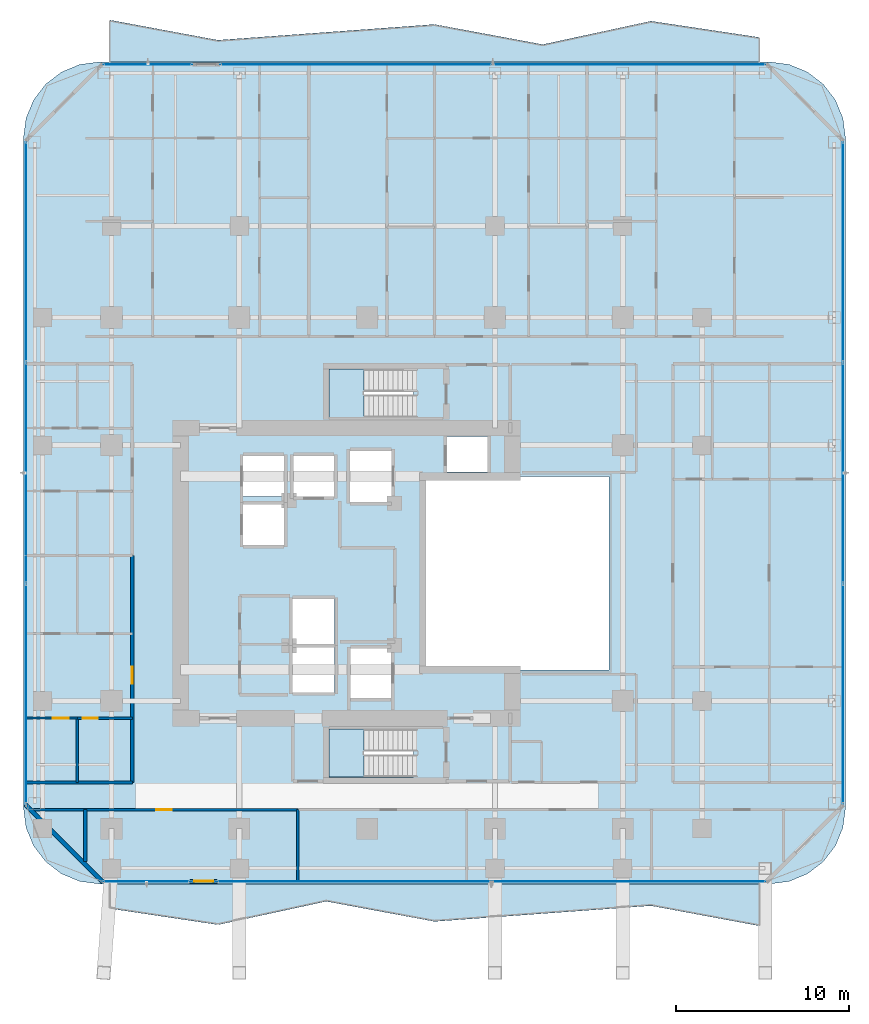
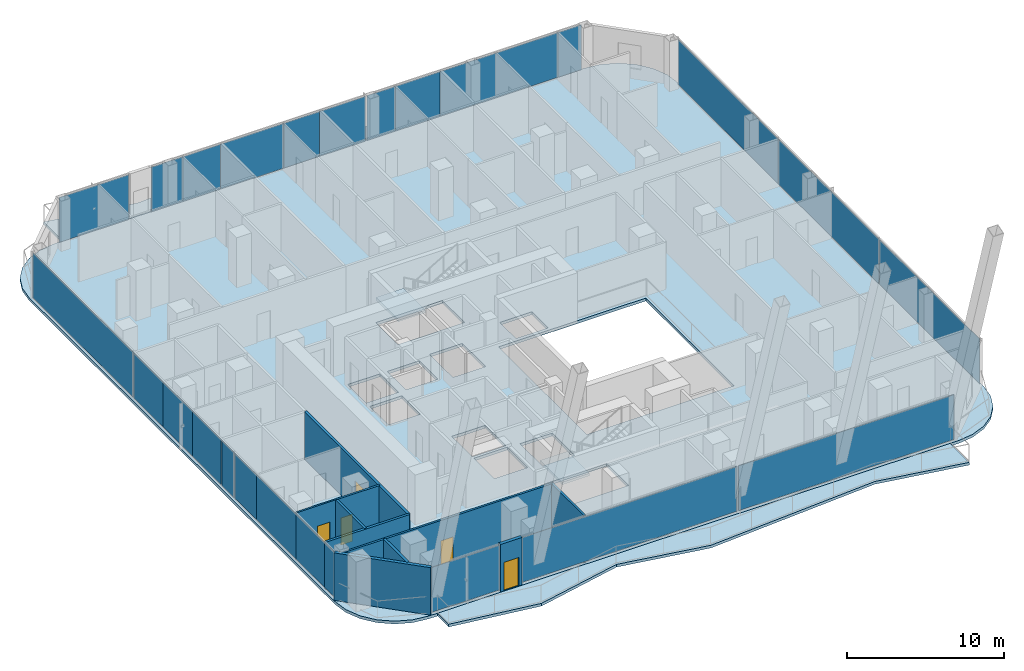
# One storey, part 18 of 30: 25 plates, 10 walls, 5 doors, 5 slabs, 5 openings, 8 elements without a shape of their own.
"""IFC4 building model written with IfcOpenShell, lengths in metres."""

from ifc_helpers import new_model, si_unit, direction, frame, frame_2d, origin, origin_2d, place, context, subcontext, project, spatial, polyline, rectangle, outline, extrude, material, layer, layer_set, type_object, element, fill, aggregate, save


model = new_model("IFC4")

# Units and contexts
model_context = context("Model", 3, precision=1e-05, world=origin(), true_north=direction((0.0, 1.0)))
body_context = subcontext(model_context, "Body", "Model", "MODEL_VIEW")
ifc_project = project(units=[si_unit("LENGTHUNIT", "METRE"), si_unit("AREAUNIT", "SQUARE_METRE"), si_unit("VOLUMEUNIT", "CUBIC_METRE"), si_unit("PLANEANGLEUNIT", "RADIAN"), si_unit("MASSUNIT", "GRAM", prefix="KILO")], contexts=[model_context])

# Site, building, storey
site_placement = place(None, origin())
site = spatial("IfcSite", under=ifc_project, at=site_placement, CompositionType="ELEMENT")
building_placement = place(site_placement, origin())
building = spatial("IfcBuilding", under=site, at=building_placement, Name="Khorvyn Point Tower", CompositionType="ELEMENT")
storey_placement = place(building_placement, frame((0.0, 0.0, 117.300048828125)))
storey = spatial("IfcBuildingStorey", under=building, at=storey_placement, Name="L29", CompositionType="ELEMENT", Elevation=117.300048828125)

# Slabs
ifc_material_1 = material(Name="Concrete C35/45", Category="concrete")
ifc_layer_1 = layer(ifc_material_1, 0.219970703125)
ifc_layer_set_1 = layer_set([ifc_layer_1], Name="Concrete C35/45 Structural Floor Slab 220")
slab_type_1 = type_object("IfcSlabType", Name="Concrete C35/45 Structural Floor Slab 220", PredefinedType="FLOOR", material=ifc_layer_set_1)
slab_1_placement = place(storey_placement, frame((0.0, 0.0, -0.219970703125)))
element("IfcSlab", 1, at=slab_1_placement, inside=storey, type_object=slab_type_1, Name="L29 Main Structural Floor Slab", PredefinedType="FLOOR", context=body_context, shape_type="SweptSolid", body=[
    extrude(outline(polyline([(-15.5, -18.0), (-16.638916015625, -17.85009765625), (-17.699951171875, -17.410400390625), (-18.611328125, -16.711181640625), (-19.310546875, -15.800048828125), (-19.75, -14.73876953125), (-19.89990234375, -13.60009765625), (-19.89990234375, 25.199951171875), (-19.75, 26.3388671875), (-19.310546875, 27.39990234375), (-18.611328125, 28.311279296875), (-17.699951171875, 29.010498046875), (-16.638916015625, 29.4501953125), (-15.5, 29.60009765625), (23.300048828125, 29.60009765625), (24.438720703125, 29.4501953125), (25.5, 29.010498046875), (26.411376953125, 28.311279296875), (27.110595703125, 27.39990234375), (27.550048828125, 26.3388671875), (27.699951171875, 25.199951171875), (27.699951171875, -13.60009765625), (27.550048828125, -14.73876953125), (27.110595703125, -15.800048828125), (26.411376953125, -16.711181640625), (25.5, -17.410400390625), (24.438720703125, -17.85009765625), (23.300048828125, -18.0), (-15.5, -18.0)]), holes=[polyline([(-1.875, -6.89990234375), (-1.875, -4.300048828125), (-4.324951171875, -4.300048828125), (-4.324951171875, -6.89990234375), (-1.875, -6.89990234375)]), polyline([(-1.875, -4.10009765625), (-1.875, -1.5), (-4.324951171875, -1.5), (-4.324951171875, -4.10009765625), (-1.875, -4.10009765625)]), polyline([(-4.824951171875, 1.625), (-4.824951171875, 3.97509765625), (-7.175048828125, 3.97509765625), (-7.175048828125, 1.625), (-4.824951171875, 1.625)]), polyline([(-7.175048828125, 4.425048828125), (-4.824951171875, 4.425048828125), (-4.824951171875, 6.77490234375), (-7.175048828125, 6.77490234375), (-7.175048828125, 4.425048828125)]), polyline([(-4.27490234375, 4.425048828125), (-1.925048828125, 4.425048828125), (-1.925048828125, 6.77490234375), (-4.27490234375, 6.77490234375), (-4.27490234375, 4.425048828125)]), polyline([(1.39990234375, 4.125), (1.39990234375, 7.074951171875), (-1.0, 7.074951171875), (-1.0, 4.125), (1.39990234375, 4.125)]), polyline([(-2.199951171875, -11.820068359375), (2.679931640625, -11.820068359375), (2.679931640625, -9.02001953125), (-2.199951171875, -9.02001953125), (-2.199951171875, -11.820068359375)]), polyline([(-0.97509765625, -7.22509765625), (1.375, -7.22509765625), (1.375, -4.375), (-0.97509765625, -4.375), (-0.97509765625, -7.22509765625)]), polyline([(14.0, -5.60009765625), (14.0, 5.60009765625), (3.199951171875, 5.60009765625), (3.199951171875, -5.60009765625), (14.0, -5.60009765625)]), polyline([(4.625, 5.85009765625), (6.97509765625, 5.85009765625), (6.97509765625, 7.905029296875), (4.625, 7.905029296875), (4.625, 5.85009765625)]), polyline([(-2.199951171875, 9.02001953125), (2.679931640625, 9.02001953125), (2.679931640625, 11.820068359375), (-2.199951171875, 11.820068359375), (-2.199951171875, 9.02001953125)])]), origin(), (0.0, 0.0, 1.0), 0.219970703125),
])
ifc_material_2 = material(Name="Concrete C40/50", Category="concrete")
ifc_layer_2 = layer(ifc_material_2, 0.2099609375)
ifc_layer_set_2 = layer_set([ifc_layer_2], Name="Concrete C40/50 Rippling Balcony Slab 210")
slab_type_2 = type_object("IfcSlabType", Name="Concrete C40/50 Rippling Balcony Slab 210", PredefinedType="USERDEFINED", material=ifc_layer_set_2)
slab_2_placement = place(storey_placement, frame((0.0, 0.0, -0.2099609375)))
element("IfcSlab", 2, at=slab_2_placement, inside=storey, type_object=slab_type_2, Name="L29 North Sinusoidal Rippling Balcony", ObjectType="BALCONY", PredefinedType="USERDEFINED", context=body_context, shape_type="SweptSolid", body=[
    extrude(outline(polyline([(22.699951171875, 29.60009765625), (22.699951171875, 31.022705078125), (16.433349609375, 31.96337890625), (10.166748046875, 30.6083984375), (3.89990234375, 31.773681640625), (-8.63330078125, 30.861083984375), (-14.89990234375, 32.026611328125), (-14.89990234375, 29.60009765625), (22.699951171875, 29.60009765625)])), origin(), (0.0, 0.0, 1.0), 0.2099609375),
])
slab_3_placement = place(storey_placement, frame((0.0, 0.0, -0.2099609375)))
element("IfcSlab", 3, at=slab_3_placement, inside=storey, type_object=slab_type_2, Name="L29 South Sinusoidal Rippling Balcony", ObjectType="BALCONY", PredefinedType="USERDEFINED", context=body_context, shape_type="SweptSolid", body=[
    extrude(outline(polyline([(-14.89990234375, -18.0), (-14.89990234375, -19.422607421875), (-8.63330078125, -20.363525390625), (-2.36669921875, -19.00830078125), (3.89990234375, -20.173828125), (16.433349609375, -19.26123046875), (22.699951171875, -20.4267578125), (22.699951171875, -18.0), (-14.89990234375, -18.0)])), origin(), (0.0, 0.0, 1.0), 0.2099609375),
])

# Stair, slab
stair_type = type_object("IfcStairType", Name="Tower Concrete C40/50 Dogleg Exit Stair", PredefinedType="HALF_TURN_STAIR", material=ifc_material_2)
stair_1_placement = place(storey_placement, origin())
stair_1 = element("IfcStair", 4, at=stair_1_placement, inside=storey, type_object=stair_type, Name="L29 Tower Smokeproof Exit Stair South", PredefinedType="HALF_TURN_STAIR")
ifc_layer_3 = layer(ifc_material_2, 0.199951171875)
ifc_layer_set_3 = layer_set([ifc_layer_3], Name="Concrete C40/50 Stair Landing Slab 200")
slab_type_3 = type_object("IfcSlabType", Name="Concrete C40/50 Stair Landing Slab 200", PredefinedType="LANDING", material=ifc_layer_set_3)
slab_4_placement = place(storey_placement, frame((0.0, 0.0, 1.75)))
slab_4 = element("IfcSlab", 5, at=slab_4_placement, type_object=slab_type_3, Name="ST-01 landing 1", PredefinedType="LANDING", context=body_context, shape_type="SweptSolid", body=[
    extrude(outline(polyline([(-0.179931640625, -9.02001953125), (-2.199951171875, -9.02001953125), (-2.199951171875, -11.820068359375), (-0.179931640625, -11.820068359375), (-0.179931640625, -9.02001953125)])), origin(), (0.0, 0.0, 1.0), 0.199951171875),
])
aggregate(stair_1, [slab_4])

stair_2_placement = place(storey_placement, origin())
stair_2 = element("IfcStair", 6, at=stair_2_placement, inside=storey, type_object=stair_type, Name="L29 Tower Smokeproof Exit Stair North", PredefinedType="HALF_TURN_STAIR")
slab_5_placement = place(storey_placement, frame((0.0, 0.0, 1.75)))
slab_5 = element("IfcSlab", 7, at=slab_5_placement, type_object=slab_type_3, Name="ST-02 landing 1", PredefinedType="LANDING", context=body_context, shape_type="SweptSolid", body=[
    extrude(outline(polyline([(-0.179931640625, 11.820068359375), (-2.199951171875, 11.820068359375), (-2.199951171875, 9.02001953125), (-0.179931640625, 9.02001953125), (-0.179931640625, 11.820068359375)])), origin(), (0.0, 0.0, 1.0), 0.199951171875),
])
aggregate(stair_2, [slab_5])

# Curtain wall, plates
ifc_material_3 = material(Name="Anodised aluminium 6063-T6 and laminated Low-E glass", Category="aluminium")
ifc_layer_4 = layer(ifc_material_3, 0.18994140625)
ifc_layer_set_4 = layer_set([ifc_layer_4], Name="Stick-Built Acoustic Curtain Wall CW-SYS-03")
curtain_wall_type = type_object("IfcCurtainWallType", Name="Stick-Built Acoustic Curtain Wall CW-SYS-03", PredefinedType="NOTDEFINED", material=ifc_layer_set_4)
curtain_wall_1_placement = place(storey_placement, origin())
curtain_wall_1 = element("IfcCurtainWall", 8, at=curtain_wall_1_placement, inside=storey, type_object=curtain_wall_type, Name="Curtain Wall", PredefinedType="NOTDEFINED")
ifc_material_4 = material(Name="Laminated Low-E insulated glass", Category="glass")
ifc_layer_5 = layer(ifc_material_4, 0.028076171875)
ifc_layer_set_5 = layer_set([ifc_layer_5], Name="Tempered Low-E Vision Glazing Panel CW-GL28")
plate_type = type_object("IfcPlateType", Name="Tempered Low-E Vision Glazing Panel CW-GL28", PredefinedType="CURTAIN_PANEL", material=ifc_layer_set_5)
plate_1_placement = place(storey_placement, frame((15.149658203125, -17.85009765625, 0.099853515625), z_axis=(0.0, 0.0, 1.0), x_axis=(-1.0, 0.0, 0.0)))
plate_1 = element("IfcPlate", 9, at=plate_1_placement, type_object=plate_type, Name="Panel", PredefinedType="CURTAIN_PANEL", context=body_context, shape_type="SweptSolid", body=[
    extrude(rectangle(XDim=15.800537109375, YDim=0.028076171875, at=origin_2d()), origin(), (0.0, 0.0, 1.0), 3.47998046875),
])
plate_2_placement = place(storey_placement, frame((-0.750732421875, -17.85009765625, 0.099853515625), z_axis=(0.0, 0.0, 1.0), x_axis=(-1.0, 0.0, 0.0)))
plate_2 = element("IfcPlate", 10, at=plate_2_placement, type_object=plate_type, Name="Panel", PredefinedType="CURTAIN_PANEL", context=body_context, shape_type="SweptSolid", body=[
    extrude(rectangle(XDim=15.800537109375, YDim=0.028076171875, at=origin_2d()), origin(), (0.0, 0.0, 1.0), 3.47998046875),
])
aggregate(curtain_wall_1, [plate_1, plate_2])

# Curtain wall, plate
curtain_wall_2_placement = place(storey_placement, origin())
curtain_wall_2 = element("IfcCurtainWall", 11, at=curtain_wall_2_placement, inside=storey, type_object=curtain_wall_type, Name="Curtain Wall", PredefinedType="NOTDEFINED")
plate_3_placement = place(storey_placement, frame((-12.7705078125, -17.85009765625, 0.099853515625), z_axis=(0.0, 0.0, 1.0), x_axis=(-1.0, 0.0, 0.0)))
plate_3 = element("IfcPlate", 12, at=plate_3_placement, type_object=plate_type, Name="Panel", PredefinedType="CURTAIN_PANEL", context=body_context, shape_type="SweptSolid", body=[
    extrude(rectangle(XDim=4.958984375, YDim=0.028076171875, at=origin_2d()), origin(), (0.0, 0.0, 1.0), 3.47998046875),
])
aggregate(curtain_wall_2, [plate_3])

curtain_wall_3_placement = place(storey_placement, origin())
curtain_wall_3 = element("IfcCurtainWall", 13, at=curtain_wall_3_placement, inside=storey, type_object=curtain_wall_type, Name="Curtain Wall", PredefinedType="NOTDEFINED")
plate_4_placement = place(storey_placement, frame((-12.694580078125, 29.449951171875, 0.099853515625), z_axis=(0.0, 0.0, 1.0), x_axis=(1.0, 0.0, 0.0)))
plate_4 = element("IfcPlate", 14, at=plate_4_placement, type_object=plate_type, Name="Panel", PredefinedType="CURTAIN_PANEL", context=body_context, shape_type="SweptSolid", body=[
    extrude(rectangle(XDim=5.111083984375, YDim=0.028076171875, at=origin_2d()), origin(), (0.0, 0.0, 1.0), 3.47998046875),
])
aggregate(curtain_wall_3, [plate_4])

# Curtain wall, plates
curtain_wall_4_placement = place(storey_placement, origin())
curtain_wall_4 = element("IfcCurtainWall", 15, at=curtain_wall_4_placement, inside=storey, type_object=curtain_wall_type, Name="Curtain Wall", PredefinedType="NOTDEFINED")
plate_5_placement = place(storey_placement, frame((-7.333984375, 29.449951171875, 0.099853515625), z_axis=(0.0, 0.0, 1.0), x_axis=(1.0, 0.0, 0.0)))
plate_5 = element("IfcPlate", 16, at=plate_5_placement, type_object=plate_type, Name="Panel", PredefinedType="CURTAIN_PANEL", context=body_context, shape_type="SweptSolid", body=[
    extrude(rectangle(XDim=2.322021484375, YDim=0.028076171875, at=origin_2d()), origin(), (0.0, 0.0, 1.0), 3.47998046875),
])
plate_6_placement = place(storey_placement, frame((-4.803955078125, 29.449951171875, 0.099853515625), z_axis=(0.0, 0.0, 1.0), x_axis=(1.0, 0.0, 0.0)))
plate_6 = element("IfcPlate", 17, at=plate_6_placement, type_object=plate_type, Name="Panel", PredefinedType="CURTAIN_PANEL", context=body_context, shape_type="SweptSolid", body=[
    extrude(rectangle(XDim=2.721923828125, YDim=0.028076171875, at=origin_2d()), origin(), (0.0, 0.0, 1.0), 3.47998046875),
])
plate_7_placement = place(storey_placement, frame((-1.114501953125, 29.449951171875, 0.099853515625), z_axis=(0.0, 0.0, 1.0), x_axis=(1.0, 0.0, 0.0)))
plate_7 = element("IfcPlate", 18, at=plate_7_placement, type_object=plate_type, Name="Panel", PredefinedType="CURTAIN_PANEL", context=body_context, shape_type="SweptSolid", body=[
    extrude(rectangle(XDim=4.64111328125, YDim=0.028076171875, at=origin_2d()), origin(), (0.0, 0.0, 1.0), 3.47998046875),
])
plate_8_placement = place(storey_placement, frame((2.52490234375, 29.449951171875, 0.099853515625), z_axis=(0.0, 0.0, 1.0), x_axis=(1.0, 0.0, 0.0)))
plate_8 = element("IfcPlate", 19, at=plate_8_placement, type_object=plate_type, Name="Panel", PredefinedType="CURTAIN_PANEL", context=body_context, shape_type="SweptSolid", body=[
    extrude(rectangle(XDim=2.6220703125, YDim=0.028076171875, at=origin_2d()), origin(), (0.0, 0.0, 1.0), 3.47998046875),
])
plate_9_placement = place(storey_placement, frame((5.53271484375, 29.449951171875, 0.099853515625), z_axis=(0.0, 0.0, 1.0), x_axis=(1.0, 0.0, 0.0)))
plate_9 = element("IfcPlate", 20, at=plate_9_placement, type_object=plate_type, Name="Panel", PredefinedType="CURTAIN_PANEL", context=body_context, shape_type="SweptSolid", body=[
    extrude(rectangle(XDim=3.37744140625, YDim=0.028076171875, at=origin_2d()), origin(), (0.0, 0.0, 1.0), 3.47998046875),
])
plate_10_placement = place(storey_placement, frame((8.3681640625, 29.449951171875, 0.099853515625), z_axis=(0.0, 0.0, 1.0), x_axis=(1.0, 0.0, 0.0)))
plate_10 = element("IfcPlate", 21, at=plate_10_placement, type_object=plate_type, Name="Panel", PredefinedType="CURTAIN_PANEL", context=body_context, shape_type="SweptSolid", body=[
    extrude(rectangle(XDim=2.077392578125, YDim=0.028076171875, at=origin_2d()), origin(), (0.0, 0.0, 1.0), 3.47998046875),
])
plate_11_placement = place(storey_placement, frame((11.04345703125, 29.449951171875, 0.099853515625), z_axis=(0.0, 0.0, 1.0), x_axis=(1.0, 0.0, 0.0)))
plate_11 = element("IfcPlate", 22, at=plate_11_placement, type_object=plate_type, Name="Panel", PredefinedType="CURTAIN_PANEL", context=body_context, shape_type="SweptSolid", body=[
    extrude(rectangle(XDim=3.257080078125, YDim=0.028076171875, at=origin_2d()), origin(), (0.0, 0.0, 1.0), 3.47998046875),
])
plate_12_placement = place(storey_placement, frame((17.0029296875, 29.449951171875, 0.099853515625), z_axis=(0.0, 0.0, 1.0), x_axis=(1.0, 0.0, 0.0)))
plate_12 = element("IfcPlate", 23, at=plate_12_placement, type_object=plate_type, Name="Panel", PredefinedType="CURTAIN_PANEL", context=body_context, shape_type="SweptSolid", body=[
    extrude(rectangle(XDim=8.64599609375, YDim=0.028076171875, at=origin_2d()), origin(), (0.0, 0.0, 1.0), 3.47998046875),
])
plate_13_placement = place(storey_placement, frame((22.18994140625, 29.449951171875, 0.099853515625), z_axis=(0.0, 0.0, 1.0), x_axis=(1.0, 0.0, 0.0)))
plate_13 = element("IfcPlate", 24, at=plate_13_placement, type_object=plate_type, Name="Panel", PredefinedType="CURTAIN_PANEL", context=body_context, shape_type="SweptSolid", body=[
    extrude(rectangle(XDim=1.7119140625, YDim=0.028076171875, at=origin_2d()), origin(), (0.0, 0.0, 1.0), 3.47998046875),
])
aggregate(curtain_wall_4, [plate_5, plate_6, plate_7, plate_8, plate_9, plate_10, plate_11, plate_12, plate_13])

curtain_wall_5_placement = place(storey_placement, origin())
curtain_wall_5 = element("IfcCurtainWall", 25, at=curtain_wall_5_placement, inside=storey, type_object=curtain_wall_type, Name="Curtain Wall", PredefinedType="NOTDEFINED")
plate_14_placement = place(storey_placement, frame((-19.75, -12.705078125, 0.099853515625), z_axis=(0.0, 0.0, 1.0), x_axis=(0.0, 1.0, 0.0)))
plate_14 = element("IfcPlate", 26, at=plate_14_placement, type_object=plate_type, Name="Panel", PredefinedType="CURTAIN_PANEL", context=body_context, shape_type="SweptSolid", body=[
    extrude(rectangle(XDim=1.281982421875, YDim=0.028076171875, at=origin_2d()), origin(), (0.0, 0.0, 1.0), 3.47998046875),
])
plate_15_placement = place(storey_placement, frame((-19.75, -10.257080078125, 0.099853515625), z_axis=(0.0, 0.0, 1.0), x_axis=(0.0, 1.0, 0.0)))
plate_15 = element("IfcPlate", 27, at=plate_15_placement, type_object=plate_type, Name="Panel", PredefinedType="CURTAIN_PANEL", context=body_context, shape_type="SweptSolid", body=[
    extrude(rectangle(XDim=3.597900390625, YDim=0.028076171875, at=origin_2d()), origin(), (0.0, 0.0, 1.0), 3.47998046875),
])
plate_16_placement = place(storey_placement, frame((-19.75, -5.950927734375, 0.099853515625), z_axis=(0.0, 0.0, 1.0), x_axis=(0.0, 1.0, 0.0)))
plate_16 = element("IfcPlate", 28, at=plate_16_placement, type_object=plate_type, Name="Panel", PredefinedType="CURTAIN_PANEL", context=body_context, shape_type="SweptSolid", body=[
    extrude(rectangle(XDim=4.998046875, YDim=0.028076171875, at=origin_2d()), origin(), (0.0, 0.0, 1.0), 3.47998046875),
])
plate_17_placement = place(storey_placement, frame((-19.75, -2.057373046875, 0.099853515625), z_axis=(0.0, 0.0, 1.0), x_axis=(0.0, 1.0, 0.0)))
plate_17 = element("IfcPlate", 29, at=plate_17_placement, type_object=plate_type, Name="Panel", PredefinedType="CURTAIN_PANEL", context=body_context, shape_type="SweptSolid", body=[
    extrude(rectangle(XDim=2.773193359375, YDim=0.028076171875, at=origin_2d()), origin(), (0.0, 0.0, 1.0), 3.47998046875),
])
plate_18_placement = place(storey_placement, frame((-19.75, 0.19580078125, 0.099853515625), z_axis=(0.0, 0.0, 1.0), x_axis=(0.0, 1.0, 0.0)))
plate_18 = element("IfcPlate", 30, at=plate_18_placement, type_object=plate_type, Name="Panel", PredefinedType="CURTAIN_PANEL", context=body_context, shape_type="SweptSolid", body=[
    extrude(rectangle(XDim=1.5166015625, YDim=0.028076171875, at=origin_2d()), origin(), (0.0, 0.0, 1.0), 3.47998046875),
])
plate_19_placement = place(storey_placement, frame((-19.75, 2.881103515625, 0.099853515625), z_axis=(0.0, 0.0, 1.0), x_axis=(0.0, 1.0, 0.0)))
plate_19 = element("IfcPlate", 31, at=plate_19_placement, type_object=plate_type, Name="Panel", PredefinedType="CURTAIN_PANEL", context=body_context, shape_type="SweptSolid", body=[
    extrude(rectangle(XDim=3.597900390625, YDim=0.028076171875, at=origin_2d()), origin(), (0.0, 0.0, 1.0), 3.47998046875),
])
plate_20_placement = place(storey_placement, frame((-19.75, 6.569091796875, 0.099853515625), z_axis=(0.0, 0.0, 1.0), x_axis=(0.0, 1.0, 0.0)))
plate_20 = element("IfcPlate", 32, at=plate_20_placement, type_object=plate_type, Name="Panel", PredefinedType="CURTAIN_PANEL", context=body_context, shape_type="SweptSolid", body=[
    extrude(rectangle(XDim=3.761962890625, YDim=0.028076171875, at=origin_2d()), origin(), (0.0, 0.0, 1.0), 3.47998046875),
])
plate_21_placement = place(storey_placement, frame((-19.75, 10.310302734375, 0.099853515625), z_axis=(0.0, 0.0, 1.0), x_axis=(0.0, 1.0, 0.0)))
plate_21 = element("IfcPlate", 33, at=plate_21_placement, type_object=plate_type, Name="Panel", PredefinedType="CURTAIN_PANEL", context=body_context, shape_type="SweptSolid", body=[
    extrude(rectangle(XDim=3.70458984375, YDim=0.028076171875, at=origin_2d()), origin(), (0.0, 0.0, 1.0), 3.47998046875),
])
plate_22_placement = place(storey_placement, frame((-19.75, 18.6083984375, 0.099853515625), z_axis=(0.0, 0.0, 1.0), x_axis=(0.0, 1.0, 0.0)))
plate_22 = element("IfcPlate", 34, at=plate_22_placement, type_object=plate_type, Name="Panel", PredefinedType="CURTAIN_PANEL", context=body_context, shape_type="SweptSolid", body=[
    extrude(rectangle(XDim=12.683349609375, YDim=0.028076171875, at=origin_2d()), origin(), (0.0, 0.0, 1.0), 3.47998046875),
])
aggregate(curtain_wall_5, [plate_14, plate_15, plate_16, plate_17, plate_18, plate_19, plate_20, plate_21, plate_22])

curtain_wall_6_placement = place(storey_placement, origin())
curtain_wall_6 = element("IfcCurtainWall", 35, at=curtain_wall_6_placement, inside=storey, type_object=curtain_wall_type, Name="Curtain Wall", PredefinedType="NOTDEFINED")
plate_23_placement = place(storey_placement, frame((27.550048828125, 18.6083984375, 0.099853515625), z_axis=(0.0, 0.0, 1.0), x_axis=(0.0, -1.0, 0.0)))
plate_23 = element("IfcPlate", 36, at=plate_23_placement, type_object=plate_type, Name="Panel", PredefinedType="CURTAIN_PANEL", context=body_context, shape_type="SweptSolid", body=[
    extrude(rectangle(XDim=12.683349609375, YDim=0.028076171875, at=origin_2d()), origin(), (0.0, 0.0, 1.0), 3.47998046875),
])
plate_24_placement = place(storey_placement, frame((27.550048828125, 5.800048828125, 0.099853515625), z_axis=(0.0, 0.0, 1.0), x_axis=(0.0, -1.0, 0.0)))
plate_24 = element("IfcPlate", 37, at=plate_24_placement, type_object=plate_type, Name="Panel", PredefinedType="CURTAIN_PANEL", context=body_context, shape_type="SweptSolid", body=[
    extrude(rectangle(XDim=12.7333984375, YDim=0.028076171875, at=origin_2d()), origin(), (0.0, 0.0, 1.0), 3.47998046875),
])
plate_25_placement = place(storey_placement, frame((27.550048828125, -7.00830078125, 0.099853515625), z_axis=(0.0, 0.0, 1.0), x_axis=(0.0, -1.0, 0.0)))
plate_25 = element("IfcPlate", 38, at=plate_25_placement, type_object=plate_type, Name="Panel", PredefinedType="CURTAIN_PANEL", context=body_context, shape_type="SweptSolid", body=[
    extrude(rectangle(XDim=12.683349609375, YDim=0.028076171875, at=origin_2d()), origin(), (0.0, 0.0, 1.0), 3.47998046875),
])
aggregate(curtain_wall_6, [plate_23, plate_24, plate_25])

# Wall, opening, door
ifc_material_5 = material(Name="Double acoustic gypsum on twin steel stud", Category="steel")
ifc_layer_6 = layer(ifc_material_5, 0.179931640625)
ifc_layer_set_6 = layer_set([ifc_layer_6], Name="Acoustic Double-Stud Apartment Demising Wall 180")
wall_type_1 = type_object("IfcWallType", Name="Acoustic Double-Stud Apartment Demising Wall 180", PredefinedType="PARTITIONING", material=ifc_layer_set_6)
wall_1_placement = place(storey_placement, frame((-13.60009765625, -12.1201171875, 0.0), z_axis=(0.0, 0.0, 1.0), x_axis=(0.0, 1.0, 0.0)))
wall_1 = element("IfcWall", 39, at=wall_1_placement, inside=storey, type_object=wall_type_1, Name="Wall", PredefinedType="PARTITIONING", context=body_context, shape_type="SweptSolid", body=[
    extrude(rectangle(XDim=13.13818359375, YDim=0.179931640625, at=frame_2d((6.569091796875, 0.0))), origin(), (0.0, 0.0, 1.0), 3.679931640625),
])
opening_1_placement = place(wall_1_placement, frame((5.7109375, 0.0, 0.0)))
opening_1 = element("IfcOpeningElement", 40, at=opening_1_placement, cuts=wall_1, Name="Opening ID-AP60", PredefinedType="OPENING", context=body_context, shape_type="SweptSolid", body=[
    extrude(rectangle(XDim=1.0, YDim=2.199951171875, at=frame_2d((0.5, 1.10009765625))), frame((0.0, 0.099853515625, 0.0), z_axis=(0.0, -1.0, 0.0), x_axis=(1.0, 0.0, 0.0)), (0.0, 0.0, 1.0), 0.199951171875),
])
ifc_material_6 = material(Name="Engineered hardwood fire-rated leaf", Category="wood")
door_type_1 = type_object("IfcDoorType", Name="Acoustic Solid-Core Timber Apartment Entrance Door 1000x2200", OperationType="NOTDEFINED", PredefinedType="DOOR", material=ifc_material_6)
door_1_placement = place(opening_1_placement, origin())
door_1 = element("IfcDoor", 41, at=door_1_placement, inside=storey, type_object=door_type_1, Name="Door", OperationType="SINGLE_SWING_LEFT", OverallHeight=2.199951171875, OverallWidth=1.0, PredefinedType="DOOR", context=body_context, shape_type="SweptSolid", body=[
    extrude(rectangle(XDim=1.0, YDim=2.199951171875, at=frame_2d((0.5, 1.10009765625))), frame((0.0, 0.02490234375, 0.0), z_axis=(0.0, -1.0, 0.0), x_axis=(1.0, 0.0, 0.0)), (0.0, 0.0, 1.0), 0.050048828125),
])
fill(opening_1, door_1)

# Walls
wall_2_placement = place(storey_placement, frame((-16.320068359375, -16.7099609375, 0.0), z_axis=(0.0, 0.0, 1.0), x_axis=(0.0, 1.0, 0.0)))
element("IfcWall", 42, at=wall_2_placement, inside=storey, type_object=wall_type_1, Name="Wall", PredefinedType="PARTITIONING", context=body_context, shape_type="SweptSolid", body=[
    extrude(rectangle(XDim=3.010009765625, YDim=0.179931640625, at=frame_2d((1.5048828125, 0.0))), origin(), (0.0, 0.0, 1.0), 3.679931640625),
])
wall_3_placement = place(storey_placement, frame((-19.72998046875, -12.1201171875, 0.0), z_axis=(0.0, 0.0, 1.0), x_axis=(1.0, 0.0, 0.0)))
element("IfcWall", 43, at=wall_3_placement, inside=storey, type_object=wall_type_1, Name="Wall", PredefinedType="PARTITIONING", context=body_context, shape_type="SweptSolid", body=[
    extrude(rectangle(XDim=6.1298828125, YDim=0.179931640625, at=frame_2d((3.06494140625, 0.0))), origin(), (0.0, 0.0, 1.0), 3.679931640625),
])

# Wall, opening, door
ifc_material_7 = material(Name="Pale anodised aluminium rainscreen on steel stud", Category="steel")
ifc_layer_7 = layer(ifc_material_7, 0.239990234375)
ifc_layer_set_7 = layer_set([ifc_layer_7], Name="Anodised Aluminium Insulated Corner Spandrel Wall 240")
wall_type_2 = type_object("IfcWallType", Name="Anodised Aluminium Insulated Corner Spandrel Wall 240", PredefinedType="SOLIDWALL", material=ifc_layer_set_7)
wall_4_placement = place(storey_placement, frame((-8.680908203125, -17.85009765625, 0.0), z_axis=(0.0, 0.0, 1.0), x_axis=(-1.0, 0.0, 0.0)))
wall_4 = element("IfcWall", 44, at=wall_4_placement, inside=storey, type_object=wall_type_2, Name="L29 South Outdoor Threshold Wall", PredefinedType="SOLIDWALL", context=body_context, shape_type="SweptSolid", body=[
    extrude(rectangle(XDim=1.580078125, YDim=0.239990234375, at=frame_2d((0.7900390625, 0.0))), origin(), (0.0, 0.0, 1.0), 3.679931640625),
])
opening_2_placement = place(wall_4_placement, frame((0.239990234375, 0.0, 0.0)))
opening_2 = element("IfcOpeningElement", 45, at=opening_2_placement, cuts=wall_4, Name="Opening BD-1122", PredefinedType="OPENING", context=body_context, shape_type="SweptSolid", body=[
    extrude(rectangle(XDim=1.10009765625, YDim=2.199951171875, at=frame_2d((0.550048828125, 1.10009765625))), frame((0.0, 0.1298828125, 0.0), z_axis=(0.0, -1.0, 0.0), x_axis=(1.0, 0.0, 0.0)), (0.0, 0.0, 1.0), 0.260009765625),
])
door_type_2 = type_object("IfcDoorType", Name="Glazed Balcony and Terrace Threshold Door 1100x2200", OperationType="NOTDEFINED", PredefinedType="DOOR", material=ifc_material_3)
door_2_placement = place(opening_2_placement, origin())
door_2 = element("IfcDoor", 46, at=door_2_placement, inside=storey, type_object=door_type_2, Name="L29 South Glazed Balcony Outdoor Door", OperationType="SINGLE_SWING_RIGHT", OverallHeight=2.199951171875, OverallWidth=1.10009765625, PredefinedType="DOOR", context=body_context, shape_type="SweptSolid", body=[
    extrude(rectangle(XDim=1.10009765625, YDim=2.199951171875, at=frame_2d((0.550048828125, 1.10009765625))), frame((0.0, 0.02490234375, 0.0), z_axis=(0.0, -1.0, 0.0), x_axis=(1.0, 0.0, 0.0)), (0.0, 0.0, 1.0), 0.050048828125),
])
fill(opening_2, door_2)

# Wall
wall_5_placement = place(storey_placement, frame((-15.3076171875, -17.892333984375, 0.0), z_axis=(0.0, 0.0, 1.0), x_axis=(-0.707126027686, 0.707087534163, 0.0)))
element("IfcWall", 47, at=wall_5_placement, inside=storey, type_object=wall_type_2, Name="L29 Rounded Corner Wall SW", PredefinedType="SOLIDWALL", context=body_context, shape_type="SweptSolid", body=[
    extrude(rectangle(XDim=6.34228515625, YDim=0.239990234375, at=frame_2d((3.171142578125, 0.0))), origin(), (0.0, 0.0, 1.0), 3.679931640625),
])

# Wall, opening, door
ifc_material_8 = material(Name="Gypsum plasterboard on steel stud", Category="steel")
ifc_layer_8 = layer(ifc_material_8, 0.1201171875)
ifc_layer_set_8 = layer_set([ifc_layer_8], Name="Gypsum Acoustic Stud Room Partition Wall 120")
wall_type_3 = type_object("IfcWallType", Name="Gypsum Acoustic Stud Room Partition Wall 120", PredefinedType="PARTITIONING", material=ifc_layer_set_8)
wall_6_placement = place(storey_placement, frame((-19.72998046875, -8.39404296875, 0.0), z_axis=(0.0, 0.0, 1.0), x_axis=(1.0, 0.0, 0.0)))
wall_6 = element("IfcWall", 48, at=wall_6_placement, inside=storey, type_object=wall_type_3, Name="Wall", PredefinedType="PARTITIONING", context=body_context, shape_type="SweptSolid", body=[
    extrude(rectangle(XDim=2.946044921875, YDim=0.1201171875, at=frame_2d((1.47314453125, 0.0))), origin(), (0.0, 0.0, 1.0), 3.679931640625),
])
opening_3_placement = place(wall_6_placement, frame((1.540771484375, 0.0, 0.0)))
opening_3 = element("IfcOpeningElement", 49, at=opening_3_placement, cuts=wall_6, Name="Opening ID-RM90", PredefinedType="OPENING", context=body_context, shape_type="SweptSolid", body=[
    extrude(rectangle(XDim=0.89990234375, YDim=2.10009765625, at=frame_2d((0.449951171875, 1.050048828125))), frame((0.0, 0.070068359375, 0.0), z_axis=(0.0, -1.0, 0.0), x_axis=(1.0, 0.0, 0.0)), (0.0, 0.0, 1.0), 0.14013671875),
])
ifc_material_9 = material(Name="Engineered oak veneer timber", Category="wood")
door_type_3 = type_object("IfcDoorType", Name="Flush Engineered Timber Room Door 900x2100", OperationType="NOTDEFINED", PredefinedType="DOOR", material=ifc_material_9)
door_3_placement = place(opening_3_placement, origin())
door_3 = element("IfcDoor", 50, at=door_3_placement, inside=storey, type_object=door_type_3, Name="Door", OperationType="SINGLE_SWING_RIGHT", OverallHeight=2.10009765625, OverallWidth=0.89990234375, PredefinedType="DOOR", context=body_context, shape_type="SweptSolid", body=[
    extrude(rectangle(XDim=0.89990234375, YDim=2.10009765625, at=frame_2d((0.449951171875, 1.050048828125))), frame((0.0, 0.02490234375, 0.0), z_axis=(0.0, -1.0, 0.0), x_axis=(1.0, 0.0, 0.0)), (0.0, 0.0, 1.0), 0.050048828125),
])
fill(opening_3, door_3)

ifc_material_10 = material(Name="Moisture-resistant gypsum and cement board", Category="gypsum")
ifc_layer_9 = layer(ifc_material_10, 0.14990234375)
ifc_layer_set_9 = layer_set([ifc_layer_9], Name="Moisture-Resistant Wet-Room Partition Wall 150")
wall_type_4 = type_object("IfcWallType", Name="Moisture-Resistant Wet-Room Partition Wall 150", PredefinedType="PARTITIONING", material=ifc_layer_set_9)
wall_7_placement = place(storey_placement, frame((-19.330078125, -13.699951171875, 0.0), z_axis=(0.0, 0.0, 1.0), x_axis=(1.0, 0.0, 0.0)))
wall_7 = element("IfcWall", 51, at=wall_7_placement, inside=storey, type_object=wall_type_4, Name="Wall", PredefinedType="PARTITIONING", context=body_context, shape_type="SweptSolid", body=[
    extrude(rectangle(XDim=15.318115234375, YDim=0.14990234375, at=frame_2d((7.6591796875, 0.0))), origin(), (0.0, 0.0, 1.0), 3.679931640625),
])
opening_4_placement = place(wall_7_placement, frame((7.119873046875, 0.0, 0.0)))
opening_4 = element("IfcOpeningElement", 52, at=opening_4_placement, cuts=wall_7, Name="Opening ID-RM90", PredefinedType="OPENING", context=body_context, shape_type="SweptSolid", body=[
    extrude(rectangle(XDim=0.89990234375, YDim=2.10009765625, at=frame_2d((0.449951171875, 1.050048828125))), frame((0.0, 0.0849609375, 0.0), z_axis=(0.0, -1.0, 0.0), x_axis=(1.0, 0.0, 0.0)), (0.0, 0.0, 1.0), 0.169921875),
])
door_4_placement = place(opening_4_placement, origin())
door_4 = element("IfcDoor", 53, at=door_4_placement, inside=storey, type_object=door_type_3, Name="Door", OperationType="SINGLE_SWING_LEFT", OverallHeight=2.10009765625, OverallWidth=0.89990234375, PredefinedType="DOOR", context=body_context, shape_type="SweptSolid", body=[
    extrude(rectangle(XDim=0.89990234375, YDim=2.10009765625, at=frame_2d((0.449951171875, 1.050048828125))), frame((0.0, 0.02490234375, 0.0), z_axis=(0.0, -1.0, 0.0), x_axis=(1.0, 0.0, 0.0)), (0.0, 0.0, 1.0), 0.050048828125),
])
fill(opening_4, door_4)

wall_8_placement = place(storey_placement, frame((-16.783935546875, -8.39404296875, 0.0), z_axis=(0.0, 0.0, 1.0), x_axis=(1.0, 0.0, 0.0)))
wall_8 = element("IfcWall", 54, at=wall_8_placement, inside=storey, type_object=wall_type_4, Name="Wall", PredefinedType="PARTITIONING", context=body_context, shape_type="SweptSolid", body=[
    extrude(rectangle(XDim=3.183837890625, YDim=0.14990234375, at=frame_2d((1.591796875, 0.0))), origin(), (0.0, 0.0, 1.0), 3.679931640625),
])
opening_5_placement = place(wall_8_placement, frame((0.327880859375, 0.0, 0.0)))
opening_5 = element("IfcOpeningElement", 55, at=opening_5_placement, cuts=wall_8, Name="Opening ID-WC85", PredefinedType="OPENING", context=body_context, shape_type="SweptSolid", body=[
    extrude(rectangle(XDim=0.85009765625, YDim=2.10009765625, at=frame_2d((0.425048828125, 1.050048828125))), frame((0.0, 0.0849609375, 0.0), z_axis=(0.0, -1.0, 0.0), x_axis=(1.0, 0.0, 0.0)), (0.0, 0.0, 1.0), 0.169921875),
])
ifc_material_11 = material(Name="High-pressure laminate on moisture-resistant core", Category="wood")
door_type_4 = type_object("IfcDoorType", Name="Moisture-Resistant Accessible Washroom Door 850x2100", OperationType="NOTDEFINED", PredefinedType="DOOR", material=ifc_material_11)
door_5_placement = place(opening_5_placement, origin())
door_5 = element("IfcDoor", 56, at=door_5_placement, inside=storey, type_object=door_type_4, Name="Door", OperationType="SINGLE_SWING_LEFT", OverallHeight=2.10009765625, OverallWidth=0.85009765625, PredefinedType="DOOR", context=body_context, shape_type="SweptSolid", body=[
    extrude(rectangle(XDim=0.85009765625, YDim=2.10009765625, at=frame_2d((0.425048828125, 1.050048828125))), frame((0.0, 0.02490234375, 0.0), z_axis=(0.0, -1.0, 0.0), x_axis=(1.0, 0.0, 0.0)), (0.0, 0.0, 1.0), 0.050048828125),
])
fill(opening_5, door_5)

# Walls
wall_9_placement = place(storey_placement, frame((-4.011962890625, -17.830078125, 0.0), z_axis=(0.0, 0.0, 1.0), x_axis=(0.0, 1.0, 0.0)))
element("IfcWall", 57, at=wall_9_placement, inside=storey, type_object=wall_type_4, Name="Wall", PredefinedType="PARTITIONING", context=body_context, shape_type="SweptSolid", body=[
    extrude(rectangle(XDim=4.130126953125, YDim=0.14990234375, at=frame_2d((2.06494140625, 0.0))), origin(), (0.0, 0.0, 1.0), 3.679931640625),
])
wall_10_placement = place(storey_placement, frame((-16.783935546875, -12.1201171875, 0.0), z_axis=(0.0, 0.0, 1.0), x_axis=(0.0, 1.0, 0.0)))
element("IfcWall", 58, at=wall_10_placement, inside=storey, type_object=wall_type_4, Name="Wall", PredefinedType="PARTITIONING", context=body_context, shape_type="SweptSolid", body=[
    extrude(rectangle(XDim=3.72607421875, YDim=0.14990234375, at=frame_2d((1.863037109375, 0.0))), origin(), (0.0, 0.0, 1.0), 3.679931640625),
])

save(model, "model.ifc")
